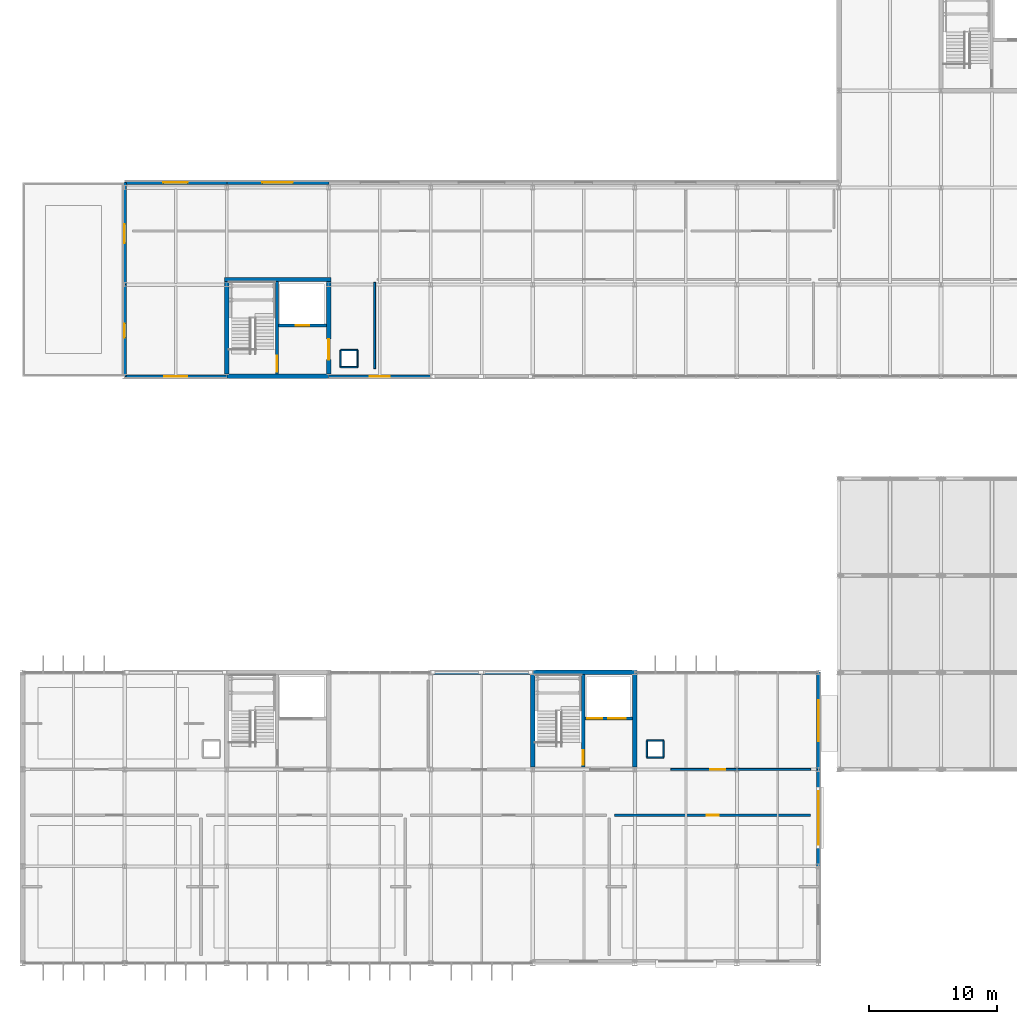
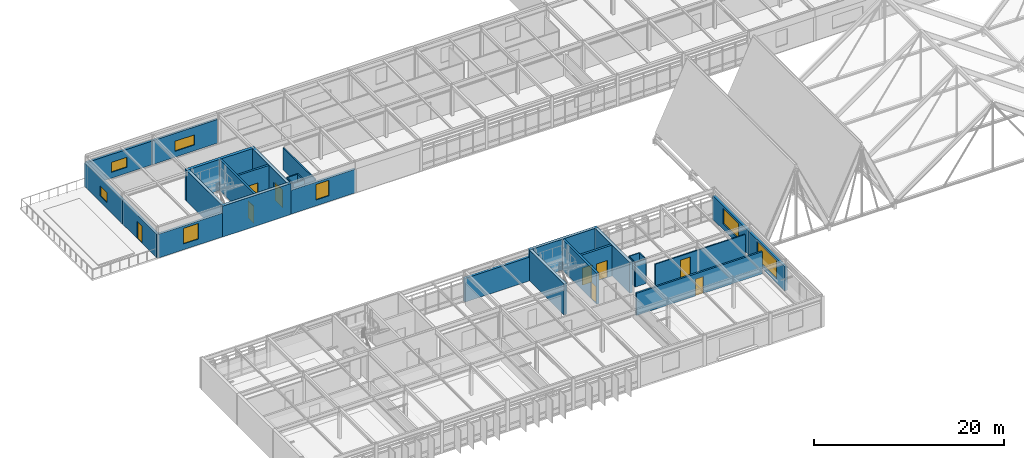
# One storey, part 70 of 85: 31 walls, 9 doors, 7 windows, 16 openings.
"""IFC4 building model written with IfcOpenShell, lengths in metres."""

import ifcopenshell
import ifcopenshell.guid

model = None  # the IFC model being written
_history = None  # IfcOwnerHistory: only IFC2X3 demands one
_inside = {}  # id of a spatial element -> (the spatial element, [elements in it])
_under = {}  # id of a project, library or spatial element -> (it, [spatial elements below it])
_declared = {}  # id of a project -> (the project, [libraries it declares])
_typed = {}  # id of a type object -> (the type object, [elements of that type])
_made_of = {}  # id of a material, layer set ... -> (it, [elements and type objects made of it])


def new_model(schema):
    """Start an empty IFC model of exactly this schema.

    Asked for "IFC4X3", IfcOpenShell would pick the latest addendum, in which some entities
    have other attributes; the version numbers below select the first issue.
    IFC2X3 requires an IfcOwnerHistory on every rooted entity: one is made here for all.
    """
    global model, _history
    if schema == "IFC4X3":
        model = ifcopenshell.file(schema_version=(4, 3, 0, 0))
    else:
        model = ifcopenshell.file(schema=schema)
    _inside.clear()
    _under.clear()
    _declared.clear()
    _typed.clear()
    _made_of.clear()
    _history = None
    if model.schema == "IFC2X3":
        org = make("IfcOrganization", Name="unknown")
        user = make(
            "IfcPersonAndOrganization",
            ThePerson=make("IfcPerson", FamilyName="unknown"),
            TheOrganization=org,
        )
        app = make(
            "IfcApplication",
            ApplicationDeveloper=org,
            Version="unknown",
            ApplicationFullName="unknown",
            ApplicationIdentifier="unknown",
        )
        _history = make(
            "IfcOwnerHistory",
            OwningUser=user,
            OwningApplication=app,
            ChangeAction="ADDED",
            CreationDate=0,
        )
    return model


def make(cls, **values):
    """One entity of the class cls with the attributes given. An attribute that is None is left unset."""
    return model.create_entity(
        cls, **{name: value for name, value in values.items() if value is not None}
    )


def rooted(cls, **values):
    """An entity with a GlobalId (a new one), such as an element, a storey or a relation."""
    return make(cls, GlobalId=ifcopenshell.guid.new(), OwnerHistory=_history, **values)


def si_unit(unit_type, name, prefix=None):
    """IfcSIUnit, for example si_unit("LENGTHUNIT", "METRE", prefix="MILLI")."""
    return make("IfcSIUnit", UnitType=unit_type, Prefix=prefix, Name=name)


def assignment(units):
    """IfcUnitAssignment: the units of a project."""
    return None if units is None else make("IfcUnitAssignment", Units=units)


def point(xyz):
    """IfcCartesianPoint."""
    return None if xyz is None else make("IfcCartesianPoint", Coordinates=xyz)


def direction(xyz):
    """IfcDirection."""
    return None if xyz is None else make("IfcDirection", DirectionRatios=xyz)


def frame(location, z_axis=None, x_axis=None):
    """IfcAxis2Placement3D, a coordinate frame: its origin and axes. An axis left out is left unset."""
    return make(
        "IfcAxis2Placement3D",
        Location=point(location),
        Axis=direction(z_axis),
        RefDirection=direction(x_axis),
    )


def frame_2d(location, x_axis=None):
    """IfcAxis2Placement2D, a coordinate frame in the plane: its origin and x axis."""
    return make(
        "IfcAxis2Placement2D", Location=point(location), RefDirection=direction(x_axis)
    )


def origin():
    """The frame at (0, 0, 0) with its axes left unset."""
    return frame((0.0, 0.0, 0.0))


def place(relative_to, where):
    """IfcLocalPlacement: puts the frame where relative to a parent placement (None: the world)."""
    return make(
        "IfcLocalPlacement", PlacementRelTo=relative_to, RelativePlacement=where
    )


def context(
    kind, dimensions, precision=None, world=None, true_north=None, identifier=None
):
    """IfcGeometricRepresentationContext, for example the 3D "Model" context."""
    return make(
        "IfcGeometricRepresentationContext",
        ContextIdentifier=identifier,
        ContextType=kind,
        CoordinateSpaceDimension=dimensions,
        Precision=precision,
        WorldCoordinateSystem=world,
        TrueNorth=true_north,
    )


def subcontext(parent, identifier, kind, view, scale=None):
    """IfcGeometricRepresentationSubContext, for example "Body" below "Model"."""
    return make(
        "IfcGeometricRepresentationSubContext",
        ContextIdentifier=identifier,
        ContextType=kind,
        ParentContext=parent,
        TargetScale=scale,
        TargetView=view,
    )


def project(units=None, contexts=None):
    """IfcProject with its units and contexts."""
    return rooted(
        "IfcProject",
        Name="project",
        RepresentationContexts=contexts,
        UnitsInContext=assignment(units),
    )


def spatial(cls, under=None, at=None, **own):
    """A site, building, storey or space (cls), placed at a placement, below another one or the project."""
    s = rooted(cls, ObjectPlacement=at, **own)
    if under is not None:
        _under.setdefault(under.id(), (under, []))[1].append(s)
    return s


def profile(cls, at=None, kind="AREA", **sizes):
    """A parametric profile (cls). Its sizes go by their IFC names, for example OverallWidth=200.0."""
    return make(cls, ProfileType=kind, Position=at, **sizes)


def rectangle(**sizes):
    """IfcRectangleProfileDef."""
    return profile("IfcRectangleProfileDef", **sizes)


def extrude(swept, where, along, depth):
    """IfcExtrudedAreaSolid: the profile swept, set in the frame where, extruded along a direction by depth."""
    return make(
        "IfcExtrudedAreaSolid",
        SweptArea=swept,
        Position=where,
        ExtrudedDirection=direction(along),
        Depth=depth,
    )


def shape(context_of_items, identifier, shape_type, items):
    """IfcShapeRepresentation: the items that make up one representation, for example the "Body"."""
    return make(
        "IfcShapeRepresentation",
        ContextOfItems=context_of_items,
        RepresentationIdentifier=identifier,
        RepresentationType=shape_type,
        Items=items,
    )


def material(Name=None, Category=None):
    """IfcMaterial."""
    return make("IfcMaterial", Name=Name, Category=Category)


def layer(
    of_material, thickness, ventilated=None, Name=None, Category=None, Priority=None
):
    """IfcMaterialLayer: one layer of a wall or slab, of a material (None: an air gap)."""
    return make(
        "IfcMaterialLayer",
        Material=of_material,
        LayerThickness=thickness,
        IsVentilated=ventilated,
        Name=Name,
        Category=Category,
        Priority=Priority,
    )


def layer_set(layers, Name=None):
    """IfcMaterialLayerSet."""
    return make("IfcMaterialLayerSet", MaterialLayers=layers, LayerSetName=Name)


def made_of(thing, what):
    """Note that an element or type object is made of a material, layer set ...; save() writes the relation."""
    if what is not None:
        _made_of.setdefault(what.id(), (what, []))[1].append(thing)
    return thing


def type_object(cls, material=None, **own):
    """A type object (cls), such as IfcWallType, which elements share."""
    return made_of(rooted(cls, **own), material)


def element(
    cls,
    number,
    at=None,
    inside=None,
    cuts=None,
    type_object=None,
    material=None,
    context=None,
    identifier="Body",
    shape_type=None,
    held_by="IfcProductDefinitionShape",
    body=None,
    shapes=None,
    **own,
):
    """One element of the class cls, such as IfcWall. Its Tag is "e" and its number.

    at: its placement. inside: the storey or other place that contains it. cuts: it is an
    opening in that element (IfcRelVoidsElement). A single representation is given by context,
    identifier, shape_type and body (its items); several are given by shapes. held_by: the class
    of the entity that holds the representations. save() writes the other relations.
    """
    e = rooted(cls, Tag="e%d" % number, ObjectPlacement=at, **own)
    if body is not None:
        shapes = [shape(context, identifier, shape_type, body)]
    if shapes is not None:
        e.Representation = make(held_by, Representations=shapes)
    if inside is not None:
        _inside.setdefault(inside.id(), (inside, []))[1].append(e)
    if cuts is not None:
        rooted(
            "IfcRelVoidsElement", RelatingBuildingElement=cuts, RelatedOpeningElement=e
        )
    if type_object is not None:
        _typed.setdefault(type_object.id(), (type_object, []))[1].append(e)
    return made_of(e, material)


def fill(opening, filler):
    """IfcRelFillsElement: the door or window that sits in an opening."""
    return rooted(
        "IfcRelFillsElement",
        RelatingOpeningElement=opening,
        RelatedBuildingElement=filler,
    )


def aggregate(whole, parts):
    """IfcRelAggregates: a whole, such as a stair, and the parts it consists of."""
    return rooted("IfcRelAggregates", RelatingObject=whole, RelatedObjects=parts)


def save(model, path):
    """Write the relations noted so far, then the file.

    IfcRelAggregates (storeys below a building ...), IfcRelContainedInSpatialStructure (elements
    in a storey), IfcRelDefinesByType, IfcRelAssociatesMaterial and IfcRelDeclares: one each for
    every whole, place, type object, material and project.
    """
    for whole, parts in _under.values():
        aggregate(whole, parts)
    for where, things in _inside.values():
        rooted(
            "IfcRelContainedInSpatialStructure",
            RelatedElements=things,
            RelatingStructure=where,
        )
    for kind, things in _typed.values():
        rooted("IfcRelDefinesByType", RelatedObjects=things, RelatingType=kind)
    for what, things in _made_of.values():
        rooted("IfcRelAssociatesMaterial", RelatedObjects=things, RelatingMaterial=what)
    for by, libraries in _declared.values():
        rooted("IfcRelDeclares", RelatingContext=by, RelatedDefinitions=libraries)
    model.write(path)


model = new_model("IFC4")

# Units and contexts
model_context = context("Model", 3, precision=1e-05, world=origin(), true_north=direction((0.0, 1.0)))
body_context = subcontext(model_context, "Body", "Model", "MODEL_VIEW")
ifc_project = project(units=[si_unit("LENGTHUNIT", "METRE"), si_unit("AREAUNIT", "SQUARE_METRE"), si_unit("VOLUMEUNIT", "CUBIC_METRE"), si_unit("PLANEANGLEUNIT", "RADIAN"), si_unit("MASSUNIT", "GRAM", prefix="KILO")], contexts=[model_context])

# Site, building, storey
site_placement = place(None, origin())
site = spatial("IfcSite", under=ifc_project, at=site_placement, CompositionType="ELEMENT")
building_placement = place(site_placement, origin())
building = spatial("IfcBuilding", under=site, at=building_placement, Name="Zulena Civic Courthouse", CompositionType="ELEMENT")
storey_placement = place(building_placement, frame((0.0, 0.0, 25.199951171875)))
storey = spatial("IfcBuildingStorey", under=building, at=storey_placement, Name="L05", CompositionType="ELEMENT", Elevation=25.199951171875)

# Wall, opening, door
ifc_material_1 = material(Name="Concrete C40/50", Category="concrete")
ifc_layer_1 = layer(ifc_material_1, 0.25)
ifc_layer_set_1 = layer_set([ifc_layer_1], Name="Concrete C40/50")
wall_type_1 = type_object("IfcWallType", Name="CoreShearWall_RC250", PredefinedType="SHEAR", material=ifc_layer_set_1)
wall_1_placement = place(storey_placement, frame((47.949951171875, 15.375, 0.0), z_axis=(0.0, 0.0, 1.0), x_axis=(0.0, 1.0, 0.0)))
wall_1 = element("IfcWall", 1, at=wall_1_placement, inside=storey, type_object=wall_type_1, Name="cwall:K2B:L05:DIV", PredefinedType="SHEAR", context=body_context, shape_type="SweptSolid", body=[
    extrude(rectangle(XDim=7.25, YDim=0.25, at=frame_2d((3.625, 0.0))), origin(), (0.0, 0.0, 1.0), 3.989990234375),
])
opening_1_placement = place(wall_1_placement, frame((0.179931640625, 0.0, 0.0)))
opening_1 = element("IfcOpeningElement", 2, at=opening_1_placement, cuts=wall_1, Name="Opening ID08", PredefinedType="OPENING", context=body_context, shape_type="SweptSolid", body=[
    extrude(rectangle(XDim=1.14990234375, YDim=2.199951171875, at=frame_2d((0.574951171875, 1.10009765625))), frame((0.0, 0.135009765625, 0.0), z_axis=(0.0, -1.0, 0.0), x_axis=(1.0, 0.0, 0.0)), (0.0, 0.0, 1.0), 0.27001953125),
])
ifc_material_2 = material(Name="Fire-rated galvanised steel ASTM A653 Grade 50", Category="steel")
door_type_1 = type_object("IfcDoorType", Name="IntDoor_Stair_1150x2200", OperationType="NOTDEFINED", PredefinedType="DOOR", material=ifc_material_2)
door_1_placement = place(opening_1_placement, origin())
door_1 = element("IfcDoor", 3, at=door_1_placement, inside=storey, type_object=door_type_1, Name="door:stair:K2B:L05", OperationType="SINGLE_SWING_RIGHT", OverallHeight=2.199951171875, OverallWidth=1.14990234375, PredefinedType="DOOR", context=body_context, shape_type="SweptSolid", body=[
    extrude(rectangle(XDim=1.14990234375, YDim=2.199951171875, at=frame_2d((0.574951171875, 1.10009765625))), frame((0.0, 0.02490234375, 0.0), z_axis=(0.0, -1.0, 0.0), x_axis=(1.0, 0.0, 0.0)), (0.0, 0.0, 1.0), 0.050048828125),
])
fill(opening_1, door_1)

# Wall, openings, doors
wall_2_placement = place(storey_placement, frame((48.074951171875, 19.199951171875, 0.0), z_axis=(0.0, 0.0, 1.0), x_axis=(1.0, 0.0, 0.0)))
wall_2 = element("IfcWall", 4, at=wall_2_placement, inside=storey, type_object=wall_type_1, Name="cwall:K2B:L05:SHF", PredefinedType="SHEAR", context=body_context, shape_type="SweptSolid", body=[
    extrude(rectangle(XDim=3.75, YDim=0.25, at=frame_2d((1.875, 0.0))), origin(), (0.0, 0.0, 1.0), 3.989990234375),
])
opening_2_placement = place(wall_2_placement, frame((0.179931640625, 0.0, 0.0)))
opening_2 = element("IfcOpeningElement", 5, at=opening_2_placement, cuts=wall_2, Name="Opening LD01", PredefinedType="OPENING", context=body_context, shape_type="SweptSolid", body=[
    extrude(rectangle(XDim=1.199951171875, YDim=2.199951171875, at=frame_2d((0.60009765625, 1.10009765625))), frame((0.0, 0.135009765625, 0.0), z_axis=(0.0, -1.0, 0.0), x_axis=(1.0, 0.0, 0.0)), (0.0, 0.0, 1.0), 0.27001953125),
])
opening_3_placement = place(wall_2_placement, frame((1.85009765625, 0.0, 0.0)))
opening_3 = element("IfcOpeningElement", 6, at=opening_3_placement, cuts=wall_2, Name="Opening LD04", PredefinedType="OPENING", context=body_context, shape_type="SweptSolid", body=[
    extrude(rectangle(XDim=1.35009765625, YDim=2.199951171875, at=frame_2d((0.675048828125, 1.10009765625))), frame((0.0, 0.135009765625, 0.0), z_axis=(0.0, -1.0, 0.0), x_axis=(1.0, 0.0, 0.0)), (0.0, 0.0, 1.0), 0.27001953125),
])
door_type_2 = type_object("IfcDoorType", Name="LiftLandingDoor_FF_1200x2200", OperationType="SLIDING_TO_LEFT", PredefinedType="DOOR", material=ifc_material_2)
door_2_placement = place(opening_2_placement, origin())
door_2 = element("IfcDoor", 7, at=door_2_placement, inside=storey, type_object=door_type_2, Name="door:ld:FL-02:L05", OperationType="SLIDING_TO_LEFT", OverallHeight=2.199951171875, OverallWidth=1.199951171875, PredefinedType="DOOR", context=body_context, shape_type="SweptSolid", body=[
    extrude(rectangle(XDim=1.199951171875, YDim=2.199951171875, at=frame_2d((0.60009765625, 1.10009765625))), frame((0.0, 0.02490234375, 0.0), z_axis=(0.0, -1.0, 0.0), x_axis=(1.0, 0.0, 0.0)), (0.0, 0.0, 1.0), 0.050048828125),
])
fill(opening_2, door_2)
door_type_3 = type_object("IfcDoorType", Name="LiftLandingDoor_Goods_1350x2300", OperationType="DOUBLE_DOOR_SLIDING", PredefinedType="DOOR", material=ifc_material_2)
door_3_placement = place(opening_3_placement, origin())
door_3 = element("IfcDoor", 8, at=door_3_placement, inside=storey, type_object=door_type_3, Name="door:ld:CL-01:L05", OperationType="DOUBLE_DOOR_SLIDING", OverallHeight=2.199951171875, OverallWidth=1.35009765625, PredefinedType="DOOR", context=body_context, shape_type="SweptSolid", body=[
    extrude(rectangle(XDim=1.35009765625, YDim=2.199951171875, at=frame_2d((0.675048828125, 1.10009765625))), frame((0.0, 0.02490234375, 0.0), z_axis=(0.0, -1.0, 0.0), x_axis=(1.0, 0.0, 0.0)), (0.0, 0.0, 1.0), 0.050048828125),
])
fill(opening_3, door_3)

# Wall, opening, door
wall_3_placement = place(storey_placement, frame((23.949951171875, 46.175048828125, 0.0), z_axis=(0.0, 0.0, 1.0), x_axis=(0.0, 1.0, 0.0)))
wall_3 = element("IfcWall", 9, at=wall_3_placement, inside=storey, type_object=wall_type_1, Name="cwall:K5A:L05:DIV", PredefinedType="SHEAR", context=body_context, shape_type="SweptSolid", body=[
    extrude(rectangle(XDim=7.25, YDim=0.25, at=frame_2d((3.625, 0.0))), origin(), (0.0, 0.0, 1.0), 3.989990234375),
])
opening_4_placement = place(wall_3_placement, frame((0.179931640625, 0.0, 0.0)))
opening_4 = element("IfcOpeningElement", 10, at=opening_4_placement, cuts=wall_3, Name="Opening ID06", PredefinedType="OPENING", context=body_context, shape_type="SweptSolid", body=[
    extrude(rectangle(XDim=1.25, YDim=2.199951171875, at=frame_2d((0.625, 1.10009765625))), frame((0.0, 0.135009765625, 0.0), z_axis=(0.0, -1.0, 0.0), x_axis=(1.0, 0.0, 0.0)), (0.0, 0.0, 1.0), 0.27001953125),
])
door_type_4 = type_object("IfcDoorType", Name="IntDoor_Stair_1250x2200", OperationType="NOTDEFINED", PredefinedType="DOOR", material=ifc_material_2)
door_4_placement = place(opening_4_placement, origin())
door_4 = element("IfcDoor", 11, at=door_4_placement, inside=storey, type_object=door_type_4, Name="door:stair:K5A:L05", OperationType="SINGLE_SWING_LEFT", OverallHeight=2.199951171875, OverallWidth=1.25, PredefinedType="DOOR", context=body_context, shape_type="SweptSolid", body=[
    extrude(rectangle(XDim=1.25, YDim=2.199951171875, at=frame_2d((0.625, 1.10009765625))), frame((0.0, 0.02490234375, 0.0), z_axis=(0.0, -1.0, 0.0), x_axis=(1.0, 0.0, 0.0)), (0.0, 0.0, 1.0), 0.050048828125),
])
fill(opening_4, door_4)

wall_4_placement = place(storey_placement, frame((24.074951171875, 50.0, 0.0), z_axis=(0.0, 0.0, 1.0), x_axis=(1.0, 0.0, 0.0)))
wall_4 = element("IfcWall", 12, at=wall_4_placement, inside=storey, type_object=wall_type_1, Name="cwall:K5A:L05:SHF", PredefinedType="SHEAR", context=body_context, shape_type="SweptSolid", body=[
    extrude(rectangle(XDim=3.75, YDim=0.25, at=frame_2d((1.875, 0.0))), origin(), (0.0, 0.0, 1.0), 3.989990234375),
])
opening_5_placement = place(wall_4_placement, frame((1.344970703125, 0.0, 0.0)))
opening_5 = element("IfcOpeningElement", 13, at=opening_5_placement, cuts=wall_4, Name="Opening LD03", PredefinedType="OPENING", context=body_context, shape_type="SweptSolid", body=[
    extrude(rectangle(XDim=1.050048828125, YDim=2.199951171875, at=frame_2d((0.52490234375, 1.10009765625))), frame((0.0, 0.135009765625, 0.0), z_axis=(0.0, -1.0, 0.0), x_axis=(1.0, 0.0, 0.0)), (0.0, 0.0, 1.0), 0.27001953125),
])
door_type_5 = type_object("IfcDoorType", Name="LiftLandingDoor_Jud_1050x2200", OperationType="SLIDING_TO_RIGHT", PredefinedType="DOOR", material=ifc_material_2)
door_5_placement = place(opening_5_placement, origin())
door_5 = element("IfcDoor", 14, at=door_5_placement, inside=storey, type_object=door_type_5, Name="door:ld:JL-02:L05", OperationType="SLIDING_TO_RIGHT", OverallHeight=2.199951171875, OverallWidth=1.050048828125, PredefinedType="DOOR", context=body_context, shape_type="SweptSolid", body=[
    extrude(rectangle(XDim=1.050048828125, YDim=2.199951171875, at=frame_2d((0.52490234375, 1.10009765625))), frame((0.0, 0.02490234375, 0.0), z_axis=(0.0, -1.0, 0.0), x_axis=(1.0, 0.0, 0.0)), (0.0, 0.0, 1.0), 0.050048828125),
])
fill(opening_5, door_5)

# Walls
ifc_layer_2 = layer(ifc_material_1, 0.35009765625)
ifc_layer_set_2 = layer_set([ifc_layer_2], Name="Concrete C40/50")
wall_type_2 = type_object("IfcWallType", Name="CoreShearWall_RC350", PredefinedType="SHEAR", material=ifc_layer_set_2)
wall_5_placement = place(storey_placement, frame((43.824951171875, 22.800048828125, 0.0), z_axis=(0.0, 0.0, 1.0), x_axis=(1.0, 0.0, 0.0)))
element("IfcWall", 15, at=wall_5_placement, inside=storey, type_object=wall_type_2, Name="cwall:K2B:L05:N", PredefinedType="SHEAR", context=body_context, shape_type="SweptSolid", body=[
    extrude(rectangle(XDim=8.35009765625, YDim=0.35009765625, at=frame_2d((4.175048828125, 0.0))), origin(), (0.0, 0.0, 1.0), 3.989990234375),
])
for number, where, z_axis, x_axis, name in (
    (16, (44.0, 15.375, 0.0), (0.0, 0.0, 1.0), (0.0, 1.0, 0.0), "cwall:K2B:L05:W"),
    (17, (52.0, 15.375, 0.0), (0.0, 0.0, 1.0), (0.0, 1.0, 0.0), "cwall:K2B:L05:E"),
):
    element("IfcWall", number, at=place(storey_placement, frame(where, z_axis=z_axis, x_axis=x_axis)), inside=storey, type_object=wall_type_2, Name=name, PredefinedType="SHEAR", context=body_context, shape_type="SweptSolid", body=[
        extrude(rectangle(XDim=7.25, YDim=0.35009765625, at=frame_2d((3.625, 0.0))), origin(), (0.0, 0.0, 1.0), 3.989990234375),
    ])
for number, where, z_axis, x_axis, name in (
    (18, (19.824951171875, 46.0, 0.0), (0.0, 0.0, 1.0), (1.0, 0.0, 0.0), "cwall:K5A:L05:S"),
    (19, (19.824951171875, 53.60009765625, 0.0), (0.0, 0.0, 1.0), (1.0, 0.0, 0.0), "cwall:K5A:L05:N"),
):
    element("IfcWall", number, at=place(storey_placement, frame(where, z_axis=z_axis, x_axis=x_axis)), inside=storey, type_object=wall_type_2, Name=name, PredefinedType="SHEAR", context=body_context, shape_type="SweptSolid", body=[
        extrude(rectangle(XDim=8.35009765625, YDim=0.35009765625, at=frame_2d((4.175048828125, 0.0))), origin(), (0.0, 0.0, 1.0), 3.989990234375),
    ])
wall_6_placement = place(storey_placement, frame((20.0, 46.175048828125, 0.0), z_axis=(0.0, 0.0, 1.0), x_axis=(0.0, 1.0, 0.0)))
element("IfcWall", 20, at=wall_6_placement, inside=storey, type_object=wall_type_2, Name="cwall:K5A:L05:W", PredefinedType="SHEAR", context=body_context, shape_type="SweptSolid", body=[
    extrude(rectangle(XDim=7.25, YDim=0.35009765625, at=frame_2d((3.625, 0.0))), origin(), (0.0, 0.0, 1.0), 3.989990234375),
])

# Wall, opening, door
wall_7_placement = place(storey_placement, frame((28.0, 46.175048828125, 0.0), z_axis=(0.0, 0.0, 1.0), x_axis=(0.0, 1.0, 0.0)))
wall_7 = element("IfcWall", 21, at=wall_7_placement, inside=storey, type_object=wall_type_2, Name="cwall:K5A:L05:E", PredefinedType="SHEAR", context=body_context, shape_type="SweptSolid", body=[
    extrude(rectangle(XDim=7.25, YDim=0.35009765625, at=frame_2d((3.625, 0.0))), origin(), (0.0, 0.0, 1.0), 3.989990234375),
])
opening_6_placement = place(wall_7_placement, frame((1.14990234375, 0.0, 0.0)))
opening_6 = element("IfcOpeningElement", 22, at=opening_6_placement, cuts=wall_7, Name="Opening ID04", PredefinedType="OPENING", context=body_context, shape_type="SweptSolid", body=[
    extrude(rectangle(XDim=1.60009765625, YDim=2.35009765625, at=frame_2d((0.800048828125, 1.175048828125))), frame((0.0, 0.18505859375, 0.0), z_axis=(0.0, -1.0, 0.0), x_axis=(1.0, 0.0, 0.0)), (0.0, 0.0, 1.0), 0.3701171875),
])
ifc_material_3 = material(Name="Solid-core acoustic hardwood timber", Category="wood")
door_type_6 = type_object("IfcDoorType", Name="IntDoor_CourtPublic_1600x2350", OperationType="DOUBLE_DOOR_SINGLE_SWING", PredefinedType="DOOR", material=ifc_material_3)
door_6_placement = place(opening_6_placement, origin())
door_6 = element("IfcDoor", 23, at=door_6_placement, inside=storey, type_object=door_type_6, Name="door:corelob:K5A:L05", OperationType="DOUBLE_DOOR_SINGLE_SWING", OverallHeight=2.35009765625, OverallWidth=1.60009765625, PredefinedType="DOOR", context=body_context, shape_type="SweptSolid", body=[
    extrude(rectangle(XDim=1.60009765625, YDim=2.35009765625, at=frame_2d((0.800048828125, 1.175048828125))), frame((0.0, 0.02490234375, 0.0), z_axis=(0.0, -1.0, 0.0), x_axis=(1.0, 0.0, 0.0)), (0.0, 0.0, 1.0), 0.050048828125),
])
fill(opening_6, door_6)

ifc_material_4 = material(Name="Buff architectural precast concrete C40/50", Category="concrete")
ifc_layer_3 = layer(ifc_material_4, 0.264892578125)
ifc_layer_set_3 = layer_set([ifc_layer_3], Name="Buff architectural precast concrete C40/50")
wall_type_3 = type_object("IfcWallType", Name="ExtWall_BuffPrecast_265", PredefinedType="STANDARD", material=ifc_layer_set_3)
wall_8_placement = place(storey_placement, frame((12.0, 45.97998046875, 0.0), z_axis=(0.0, 0.0, 1.0), x_axis=(0.0, 1.0, 0.0)))
wall_8 = element("IfcWall", 24, at=wall_8_placement, inside=storey, type_object=wall_type_3, Name="ewall:V5:L05:0:0", PredefinedType="STANDARD", context=body_context, shape_type="SweptSolid", body=[
    extrude(rectangle(XDim=7.239990234375, YDim=0.264892578125, at=frame_2d((3.6201171875, 0.0))), origin(), (0.0, 0.0, 1.0), 3.06005859375),
])
opening_7_placement = place(wall_8_placement, frame((3.070068359375, 0.0, 0.0)))
opening_7 = element("IfcOpeningElement", 25, at=opening_7_placement, cuts=wall_8, Name="Opening TD01", PredefinedType="OPENING", context=body_context, shape_type="SweptSolid", body=[
    extrude(rectangle(XDim=1.10009765625, YDim=2.199951171875, at=frame_2d((0.550048828125, 1.10009765625))), frame((0.0, 0.142333984375, 0.0), z_axis=(0.0, -1.0, 0.0), x_axis=(1.0, 0.0, 0.0)), (0.0, 0.0, 1.0), 0.284912109375),
])
ifc_material_5 = material(Name="Galvanised architectural steel ASTM A653 Grade 50", Category="steel")
door_type_7 = type_object("IfcDoorType", Name="ExtDoor_Terrace_1100x2200", OperationType="NOTDEFINED", PredefinedType="DOOR", material=ifc_material_5)
door_7_placement = place(opening_7_placement, origin())
door_7 = element("IfcDoor", 26, at=door_7_placement, inside=storey, type_object=door_type_7, Name="door:terrace:TR-V5-L05", OperationType="SINGLE_SWING_RIGHT", OverallHeight=2.199951171875, OverallWidth=1.10009765625, PredefinedType="DOOR", context=body_context, shape_type="SweptSolid", body=[
    extrude(rectangle(XDim=1.10009765625, YDim=2.199951171875, at=frame_2d((0.550048828125, 1.10009765625))), frame((0.0, 0.02490234375, 0.0), z_axis=(0.0, -1.0, 0.0), x_axis=(1.0, 0.0, 0.0)), (0.0, 0.0, 1.0), 0.050048828125),
])
fill(opening_7, door_7)

# Wall, opening, window
wall_9_placement = place(storey_placement, frame((12.0, 53.179931640625, 0.0), z_axis=(0.0, 0.0, 1.0), x_axis=(0.0, 1.0, 0.0)))
wall_9 = element("IfcWall", 27, at=wall_9_placement, inside=storey, type_object=wall_type_3, Name="ewall:V5:L05:0:1", PredefinedType="STANDARD", context=body_context, shape_type="SweptSolid", body=[
    extrude(rectangle(XDim=8.0400390625, YDim=0.264892578125, at=frame_2d((4.02001953125, 0.0))), origin(), (0.0, 0.0, 1.0), 3.06005859375),
])
opening_8_placement = place(wall_9_placement, frame((3.27001953125, 0.0, 0.75)))
opening_8 = element("IfcOpeningElement", 28, at=opening_8_placement, cuts=wall_9, Name="Opening WN30", PredefinedType="OPENING", context=body_context, shape_type="SweptSolid", body=[
    extrude(rectangle(XDim=1.5, YDim=1.300048828125, at=frame_2d((0.75, 0.64990234375))), frame((0.0, 0.142333984375, 0.0), z_axis=(0.0, -1.0, 0.0), x_axis=(1.0, 0.0, 0.0)), (0.0, 0.0, 1.0), 0.284912109375),
])
ifc_material_6 = material(Name="Double-silver low-E laminated solar-control glass", Category="glass")
window_type_1 = type_object("IfcWindowType", Name="Win_1500x1300", PartitioningType="SINGLE_PANEL", PredefinedType="WINDOW", material=ifc_material_6)
window_1_placement = place(opening_8_placement, origin())
window_1 = element("IfcWindow", 29, at=window_1_placement, inside=storey, type_object=window_type_1, Name="win:V5:L05:0:1", OverallHeight=1.300048828125, OverallWidth=1.5, PartitioningType="SINGLE_PANEL", PredefinedType="WINDOW", context=body_context, shape_type="SweptSolid", body=[
    extrude(rectangle(XDim=1.5, YDim=1.300048828125, at=frame_2d((0.75, 0.64990234375))), frame((0.0, 0.030029296875, 0.0), z_axis=(0.0, -1.0, 0.0), x_axis=(1.0, 0.0, 0.0)), (0.0, 0.0, 1.0), 0.06005859375),
])
fill(opening_8, window_1)

wall_10_placement = place(storey_placement, frame((11.97998046875, 61.199951171875, 0.0), z_axis=(0.0, 0.0, 1.0), x_axis=(1.0, 0.0, 0.0)))
wall_10 = element("IfcWall", 30, at=wall_10_placement, inside=storey, type_object=wall_type_3, Name="ewall:V5:L05:1:0", PredefinedType="STANDARD", context=body_context, shape_type="SweptSolid", body=[
    extrude(rectangle(XDim=8.0400390625, YDim=0.264892578125, at=frame_2d((4.02001953125, 0.0))), origin(), (0.0, 0.0, 1.0), 3.06005859375),
])
opening_9_placement = place(wall_10_placement, frame((3.070068359375, 0.0, 0.75)))
opening_9 = element("IfcOpeningElement", 31, at=opening_9_placement, cuts=wall_10, Name="Opening WN31", PredefinedType="OPENING", context=body_context, shape_type="SweptSolid", body=[
    extrude(rectangle(XDim=1.89990234375, YDim=1.300048828125, at=frame_2d((0.949951171875, 0.64990234375))), frame((0.0, 0.142333984375, 0.0), z_axis=(0.0, -1.0, 0.0), x_axis=(1.0, 0.0, 0.0)), (0.0, 0.0, 1.0), 0.284912109375),
])
window_type_2 = type_object("IfcWindowType", Name="Win_1900x1300", PartitioningType="DOUBLE_PANEL_VERTICAL", PredefinedType="WINDOW", material=ifc_material_6)
window_2_placement = place(opening_9_placement, origin())
window_2 = element("IfcWindow", 32, at=window_2_placement, inside=storey, type_object=window_type_2, Name="win:V5:L05:1:0", OverallHeight=1.300048828125, OverallWidth=1.89990234375, PartitioningType="SINGLE_PANEL", PredefinedType="WINDOW", context=body_context, shape_type="SweptSolid", body=[
    extrude(rectangle(XDim=1.89990234375, YDim=1.300048828125, at=frame_2d((0.949951171875, 0.64990234375))), frame((0.0, 0.030029296875, 0.0), z_axis=(0.0, -1.0, 0.0), x_axis=(1.0, 0.0, 0.0)), (0.0, 0.0, 1.0), 0.06005859375),
])
fill(opening_9, window_2)

wall_11_placement = place(storey_placement, frame((19.97998046875, 61.199951171875, 0.0), z_axis=(0.0, 0.0, 1.0), x_axis=(1.0, 0.0, 0.0)))
wall_11 = element("IfcWall", 33, at=wall_11_placement, inside=storey, type_object=wall_type_3, Name="ewall:V5:L05:1:1", PredefinedType="STANDARD", context=body_context, shape_type="SweptSolid", body=[
    extrude(rectangle(XDim=8.0400390625, YDim=0.264892578125, at=frame_2d((4.02001953125, 0.0))), origin(), (0.0, 0.0, 1.0), 3.06005859375),
])
opening_10_placement = place(wall_11_placement, frame((2.820068359375, 0.0, 0.75)))
opening_10 = element("IfcOpeningElement", 34, at=opening_10_placement, cuts=wall_11, Name="Opening WN32", PredefinedType="OPENING", context=body_context, shape_type="SweptSolid", body=[
    extrude(rectangle(XDim=2.39990234375, YDim=1.300048828125, at=frame_2d((1.199951171875, 0.64990234375))), frame((0.0, 0.142333984375, 0.0), z_axis=(0.0, -1.0, 0.0), x_axis=(1.0, 0.0, 0.0)), (0.0, 0.0, 1.0), 0.284912109375),
])
window_type_3 = type_object("IfcWindowType", Name="Win_2400x1300", PartitioningType="DOUBLE_PANEL_VERTICAL", PredefinedType="WINDOW", material=ifc_material_6)
window_3_placement = place(opening_10_placement, origin())
window_3 = element("IfcWindow", 35, at=window_3_placement, inside=storey, type_object=window_type_3, Name="win:V5:L05:1:1", OverallHeight=1.300048828125, OverallWidth=2.39990234375, PartitioningType="SINGLE_PANEL", PredefinedType="WINDOW", context=body_context, shape_type="SweptSolid", body=[
    extrude(rectangle(XDim=2.39990234375, YDim=1.300048828125, at=frame_2d((1.199951171875, 0.64990234375))), frame((0.0, 0.030029296875, 0.0), z_axis=(0.0, -1.0, 0.0), x_axis=(1.0, 0.0, 0.0)), (0.0, 0.0, 1.0), 0.06005859375),
])
fill(opening_10, window_3)

wall_12_placement = place(storey_placement, frame((36.02001953125, 46.0, 0.0), z_axis=(0.0, 0.0, 1.0), x_axis=(-1.0, 0.0, 0.0)))
wall_12 = element("IfcWall", 36, at=wall_12_placement, inside=storey, type_object=wall_type_3, Name="ewall:V5:L05:5:8", PredefinedType="STANDARD", context=body_context, shape_type="SweptSolid", body=[
    extrude(rectangle(XDim=8.0400390625, YDim=0.264892578125, at=frame_2d((4.02001953125, 0.0))), origin(), (0.0, 0.0, 1.0), 3.06005859375),
])
opening_11_placement = place(wall_12_placement, frame((3.219970703125, 0.0, 0.75)))
opening_11 = element("IfcOpeningElement", 37, at=opening_11_placement, cuts=wall_12, Name="Opening WN02", PredefinedType="OPENING", context=body_context, shape_type="SweptSolid", body=[
    extrude(rectangle(XDim=1.60009765625, YDim=2.0, at=frame_2d((0.800048828125, 1.0))), frame((0.0, 0.142333984375, 0.0), z_axis=(0.0, -1.0, 0.0), x_axis=(1.0, 0.0, 0.0)), (0.0, 0.0, 1.0), 0.284912109375),
])
window_type_4 = type_object("IfcWindowType", Name="Win_1600x2000", PartitioningType="SINGLE_PANEL", PredefinedType="WINDOW", material=ifc_material_6)
window_4_placement = place(opening_11_placement, origin())
window_4 = element("IfcWindow", 38, at=window_4_placement, inside=storey, type_object=window_type_4, Name="win:V5:L05:5:8", OverallHeight=2.0, OverallWidth=1.60009765625, PartitioningType="SINGLE_PANEL", PredefinedType="WINDOW", context=body_context, shape_type="SweptSolid", body=[
    extrude(rectangle(XDim=1.60009765625, YDim=2.0, at=frame_2d((0.800048828125, 1.0))), frame((0.0, 0.030029296875, 0.0), z_axis=(0.0, -1.0, 0.0), x_axis=(1.0, 0.0, 0.0)), (0.0, 0.0, 1.0), 0.06005859375),
])
fill(opening_11, window_4)

wall_13_placement = place(storey_placement, frame((20.02001953125, 46.0, 0.0), z_axis=(0.0, 0.0, 1.0), x_axis=(-1.0, 0.0, 0.0)))
wall_13 = element("IfcWall", 39, at=wall_13_placement, inside=storey, type_object=wall_type_3, Name="ewall:V5:L05:5:10", PredefinedType="STANDARD", context=body_context, shape_type="SweptSolid", body=[
    extrude(rectangle(XDim=8.0400390625, YDim=0.264892578125, at=frame_2d((4.02001953125, 0.0))), origin(), (0.0, 0.0, 1.0), 3.06005859375),
])
opening_12_placement = place(wall_13_placement, frame((3.1201171875, 0.0, 0.75)))
opening_12 = element("IfcOpeningElement", 40, at=opening_12_placement, cuts=wall_13, Name="Opening WN03", PredefinedType="OPENING", context=body_context, shape_type="SweptSolid", body=[
    extrude(rectangle(XDim=1.800048828125, YDim=2.0, at=frame_2d((0.89990234375, 1.0))), frame((0.0, 0.142333984375, 0.0), z_axis=(0.0, -1.0, 0.0), x_axis=(1.0, 0.0, 0.0)), (0.0, 0.0, 1.0), 0.284912109375),
])
window_type_5 = type_object("IfcWindowType", Name="Win_1800x2000", PartitioningType="DOUBLE_PANEL_VERTICAL", PredefinedType="WINDOW", material=ifc_material_6)
window_5_placement = place(opening_12_placement, origin())
window_5 = element("IfcWindow", 41, at=window_5_placement, inside=storey, type_object=window_type_5, Name="win:V5:L05:5:10", OverallHeight=2.0, OverallWidth=1.800048828125, PartitioningType="SINGLE_PANEL", PredefinedType="WINDOW", context=body_context, shape_type="SweptSolid", body=[
    extrude(rectangle(XDim=1.800048828125, YDim=2.0, at=frame_2d((0.89990234375, 1.0))), frame((0.0, 0.030029296875, 0.0), z_axis=(0.0, -1.0, 0.0), x_axis=(1.0, 0.0, 0.0)), (0.0, 0.0, 1.0), 0.06005859375),
])
fill(opening_12, window_5)

# Wall
ifc_material_7 = material(Name="White architectural precast concrete C40/50", Category="concrete")
ifc_layer_4 = layer(ifc_material_7, 0.300048828125)
ifc_layer_set_4 = layer_set([ifc_layer_4], Name="White architectural precast concrete C40/50")
wall_type_4 = type_object("IfcWallType", Name="ExtWall_WhitePrecast_300", PredefinedType="STANDARD", material=ifc_layer_set_4)
wall_14_placement = place(storey_placement, frame((35.97998046875, 22.800048828125, 0.0), z_axis=(0.0, 0.0, 1.0), x_axis=(1.0, 0.0, 0.0)))
element("IfcWall", 42, at=wall_14_placement, inside=storey, type_object=wall_type_4, Name="ewall:V2:L05:1:4", PredefinedType="STANDARD", context=body_context, shape_type="SweptSolid", body=[
    extrude(rectangle(XDim=8.0400390625, YDim=0.300048828125, at=frame_2d((4.02001953125, 0.0))), origin(), (0.0, 0.0, 1.0), 3.06005859375),
])

# Wall, opening, window
wall_15_placement = place(storey_placement, frame((66.39990234375, 22.820068359375, 0.0), z_axis=(0.0, 0.0, 1.0), x_axis=(0.0, -1.0, 0.0)))
wall_15 = element("IfcWall", 43, at=wall_15_placement, inside=storey, type_object=wall_type_4, Name="ewall:V2:L05:2:0", PredefinedType="STANDARD", context=body_context, shape_type="SweptSolid", body=[
    extrude(rectangle(XDim=7.64013671875, YDim=0.300048828125, at=frame_2d((3.820068359375, 0.0))), origin(), (0.0, 0.0, 1.0), 3.06005859375),
])
opening_13_placement = place(wall_15_placement, frame((2.219970703125, 0.0, 0.75)))
opening_13 = element("IfcOpeningElement", 44, at=opening_13_placement, cuts=wall_15, Name="Opening WN08", PredefinedType="OPENING", context=body_context, shape_type="SweptSolid", body=[
    extrude(rectangle(XDim=3.199951171875, YDim=2.0, at=frame_2d((1.60009765625, 1.0))), frame((0.0, 0.159912109375, 0.0), z_axis=(0.0, -1.0, 0.0), x_axis=(1.0, 0.0, 0.0)), (0.0, 0.0, 1.0), 0.320068359375),
])
window_type_6 = type_object("IfcWindowType", Name="Win_3200x2000", PartitioningType="DOUBLE_PANEL_VERTICAL", PredefinedType="WINDOW", material=ifc_material_6)
window_6_placement = place(opening_13_placement, origin())
window_6 = element("IfcWindow", 45, at=window_6_placement, inside=storey, type_object=window_type_6, Name="win:V2:L05:2:0", OverallHeight=2.0, OverallWidth=3.199951171875, PartitioningType="SINGLE_PANEL", PredefinedType="WINDOW", context=body_context, shape_type="SweptSolid", body=[
    extrude(rectangle(XDim=3.199951171875, YDim=2.0, at=frame_2d((1.60009765625, 1.0))), frame((0.0, 0.030029296875, 0.0), z_axis=(0.0, -1.0, 0.0), x_axis=(1.0, 0.0, 0.0)), (0.0, 0.0, 1.0), 0.06005859375),
])
fill(opening_13, window_6)

wall_16_placement = place(storey_placement, frame((66.39990234375, 15.219970703125, 0.0), z_axis=(0.0, 0.0, 1.0), x_axis=(0.0, -1.0, 0.0)))
wall_16 = element("IfcWall", 46, at=wall_16_placement, inside=storey, type_object=wall_type_4, Name="ewall:V2:L05:2:1", PredefinedType="STANDARD", context=body_context, shape_type="SweptSolid", body=[
    extrude(rectangle(XDim=7.639892578125, YDim=0.300048828125, at=frame_2d((3.81982421875, 0.0))), origin(), (0.0, 0.0, 1.0), 3.06005859375),
])
opening_14_placement = place(wall_16_placement, frame((1.719970703125, 0.0, 0.449951171875)))
opening_14 = element("IfcOpeningElement", 47, at=opening_14_placement, cuts=wall_16, Name="Opening WN49", PredefinedType="OPENING", context=body_context, shape_type="SweptSolid", body=[
    extrude(rectangle(XDim=4.199951171875, YDim=2.360107421875, at=frame_2d((2.10009765625, 1.18017578125))), frame((0.0, 0.159912109375, 0.0), z_axis=(0.0, -1.0, 0.0), x_axis=(1.0, 0.0, 0.0)), (0.0, 0.0, 1.0), 0.320068359375),
])
window_type_7 = type_object("IfcWindowType", Name="Win_4200x2800", PartitioningType="DOUBLE_PANEL_VERTICAL", PredefinedType="WINDOW", material=ifc_material_6)
window_7_placement = place(opening_14_placement, origin())
window_7 = element("IfcWindow", 48, at=window_7_placement, inside=storey, type_object=window_type_7, Name="win:outlook:L05:2:1", OverallHeight=2.360107421875, OverallWidth=4.199951171875, PartitioningType="SINGLE_PANEL", PredefinedType="WINDOW", context=body_context, shape_type="SweptSolid", body=[
    extrude(rectangle(XDim=4.199951171875, YDim=2.360107421875, at=frame_2d((2.10009765625, 1.18017578125))), frame((0.0, 0.030029296875, 0.0), z_axis=(0.0, -1.0, 0.0), x_axis=(1.0, 0.0, 0.0)), (0.0, 0.0, 1.0), 0.06005859375),
])
fill(opening_14, window_7)

# Wall, opening, door
ifc_material_8 = material(Name="Acoustic fire-rated gypsum board assembly", Category="masonry")
ifc_layer_5 = layer(ifc_material_8, 0.14599609375)
ifc_layer_set_5 = layer_set([ifc_layer_5], Name="Acoustic fire-rated gypsum board assembly")
wall_type_5 = type_object("IfcWallType", Name="PartWall_Chambers_146", PredefinedType="PARTITIONING", material=ifc_layer_set_5)
wall_17_placement = place(storey_placement, frame((54.820068359375, 15.199951171875, 0.0), z_axis=(0.0, 0.0, 1.0), x_axis=(1.0, 0.0, 0.0)))
wall_17 = element("IfcWall", 49, at=wall_17_placement, inside=storey, type_object=wall_type_5, Name="pwall:L05:339:0", PredefinedType="PARTITIONING", context=body_context, shape_type="SweptSolid", body=[
    extrude(rectangle(XDim=10.9599609375, YDim=0.14599609375, at=frame_2d((5.47998046875, 0.0))), origin(), (0.0, 0.0, 1.0), 2.85009765625),
])
opening_15_placement = place(wall_17_placement, frame((3.090087890625, 0.0, 0.0)))
opening_15 = element("IfcOpeningElement", 50, at=opening_15_placement, cuts=wall_17, Name="Opening ID27", PredefinedType="OPENING", context=body_context, shape_type="SweptSolid", body=[
    extrude(rectangle(XDim=1.179931640625, YDim=2.300048828125, at=frame_2d((0.58984375, 1.14990234375))), frame((0.0, 0.0830078125, 0.0), z_axis=(0.0, -1.0, 0.0), x_axis=(1.0, 0.0, 0.0)), (0.0, 0.0, 1.0), 0.166015625),
])
door_type_8 = type_object("IfcDoorType", Name="IntDoor_FCC_1180x2300", OperationType="NOTDEFINED", PredefinedType="DOOR", material=ifc_material_2)
door_8_placement = place(opening_15_placement, origin())
door_8 = element("IfcDoor", 51, at=door_8_placement, inside=storey, type_object=door_type_8, Name="door:rm:L05:339", OperationType="SINGLE_SWING_LEFT", OverallHeight=2.300048828125, OverallWidth=1.179931640625, PredefinedType="DOOR", context=body_context, shape_type="SweptSolid", body=[
    extrude(rectangle(XDim=1.179931640625, YDim=2.300048828125, at=frame_2d((0.58984375, 1.14990234375))), frame((0.0, 0.02490234375, 0.0), z_axis=(0.0, -1.0, 0.0), x_axis=(1.0, 0.0, 0.0)), (0.0, 0.0, 1.0), 0.050048828125),
])
fill(opening_15, door_8)

# Wall
wall_18_placement = place(storey_placement, frame((31.60009765625, 46.6201171875, 0.0), z_axis=(0.0, 0.0, 1.0), x_axis=(0.0, 1.0, 0.0)))
element("IfcWall", 52, at=wall_18_placement, inside=storey, type_object=wall_type_5, Name="pwall:L05:413:1", PredefinedType="PARTITIONING", context=body_context, shape_type="SweptSolid", body=[
    extrude(rectangle(XDim=6.759765625, YDim=0.14599609375, at=frame_2d((3.3798828125, 0.0))), origin(), (0.0, 0.0, 1.0), 2.85009765625),
])

# Wall, opening, door
ifc_layer_6 = layer(ifc_material_8, 0.215087890625)
ifc_layer_set_6 = layer_set([ifc_layer_6], Name="Acoustic fire-rated gypsum board assembly")
wall_type_6 = type_object("IfcWallType", Name="PartWall_CourtAcoustic_215", PredefinedType="PARTITIONING", material=ifc_layer_set_6)
wall_19_placement = place(storey_placement, frame((50.419921875, 11.60009765625, 0.0), z_axis=(0.0, 0.0, 1.0), x_axis=(1.0, 0.0, 0.0)))
wall_19 = element("IfcWall", 53, at=wall_19_placement, inside=storey, type_object=wall_type_6, Name="pwall:L05:335:0", PredefinedType="PARTITIONING", context=body_context, shape_type="SweptSolid", body=[
    extrude(rectangle(XDim=15.360107421875, YDim=0.215087890625, at=frame_2d((7.68017578125, 0.0))), origin(), (0.0, 0.0, 1.0), 2.85009765625),
])
opening_16_placement = place(wall_19_placement, frame((7.205078125, 0.0, 0.0)))
opening_16 = element("IfcOpeningElement", 54, at=opening_16_placement, cuts=wall_19, Name="Opening ID23", PredefinedType="OPENING", context=body_context, shape_type="SweptSolid", body=[
    extrude(rectangle(XDim=0.949951171875, YDim=2.14990234375, at=frame_2d((0.47509765625, 1.074951171875))), frame((0.0, 0.117431640625, 0.0), z_axis=(0.0, -1.0, 0.0), x_axis=(1.0, 0.0, 0.0)), (0.0, 0.0, 1.0), 0.235107421875),
])
door_type_9 = type_object("IfcDoorType", Name="IntDoor_Restroom_950x2150", OperationType="NOTDEFINED", PredefinedType="DOOR", material=ifc_material_3)
door_9_placement = place(opening_16_placement, origin())
door_9 = element("IfcDoor", 55, at=door_9_placement, inside=storey, type_object=door_type_9, Name="door:rm:L05:335", OperationType="SINGLE_SWING_RIGHT", OverallHeight=2.14990234375, OverallWidth=0.949951171875, PredefinedType="DOOR", context=body_context, shape_type="SweptSolid", body=[
    extrude(rectangle(XDim=0.949951171875, YDim=2.14990234375, at=frame_2d((0.47509765625, 1.074951171875))), frame((0.0, 0.02490234375, 0.0), z_axis=(0.0, -1.0, 0.0), x_axis=(1.0, 0.0, 0.0)), (0.0, 0.0, 1.0), 0.050048828125),
])
fill(opening_16, door_9)

# Walls
ifc_material_9 = material(Name="Insulated blockwork masonry ASTM C90", Category="masonry")
ifc_layer_7 = layer(ifc_material_9, 0.114990234375)
ifc_layer_set_7 = layer_set([ifc_layer_7], Name="Insulated blockwork masonry ASTM C90")
wall_type_7 = type_object("IfcWallType", Name="PartWall_Riser_115", PredefinedType="PARTITIONING", material=ifc_layer_set_7)
for number, where, z_axis, x_axis, name in (
    (56, (52.93994140625, 16.139892578125, 0.0), (0.0, 0.0, 1.0), (1.0, 0.0, 0.0), "riser:RS-V2E:L05:0"),
    (57, (54.260009765625, 16.139892578125, 0.0), (0.0, 0.0, 1.0), (0.0, 1.0, 0.0), "riser:RS-V2E:L05:1"),
    (58, (54.260009765625, 17.4599609375, 0.0), (0.0, 0.0, 1.0), (-1.0, 0.0, 0.0), "riser:RS-V2E:L05:2"),
    (59, (52.93994140625, 17.4599609375, 0.0), (0.0, 0.0, 1.0), (0.0, -1.0, 0.0), "riser:RS-V2E:L05:3"),
    (60, (28.93994140625, 46.739990234375, 0.0), (0.0, 0.0, 1.0), (1.0, 0.0, 0.0), "riser:RS-V5W:L05:0"),
    (61, (30.260009765625, 46.739990234375, 0.0), (0.0, 0.0, 1.0), (0.0, 1.0, 0.0), "riser:RS-V5W:L05:1"),
    (62, (30.260009765625, 48.06005859375, 0.0), (0.0, 0.0, 1.0), (-1.0, 0.0, 0.0), "riser:RS-V5W:L05:2"),
    (63, (28.93994140625, 48.06005859375, 0.0), (0.0, 0.0, 1.0), (0.0, -1.0, 0.0), "riser:RS-V5W:L05:3"),
):
    element("IfcWall", number, at=place(storey_placement, frame(where, z_axis=z_axis, x_axis=x_axis)), inside=storey, type_object=wall_type_7, Name=name, PredefinedType="PARTITIONING", context=body_context, shape_type="SweptSolid", body=[
        extrude(rectangle(XDim=1.320068359375, YDim=0.114990234375, at=frame_2d((0.66015625, 0.0))), origin(), (0.0, 0.0, 1.0), 3.150146484375),
    ])

save(model, "model.ifc")
